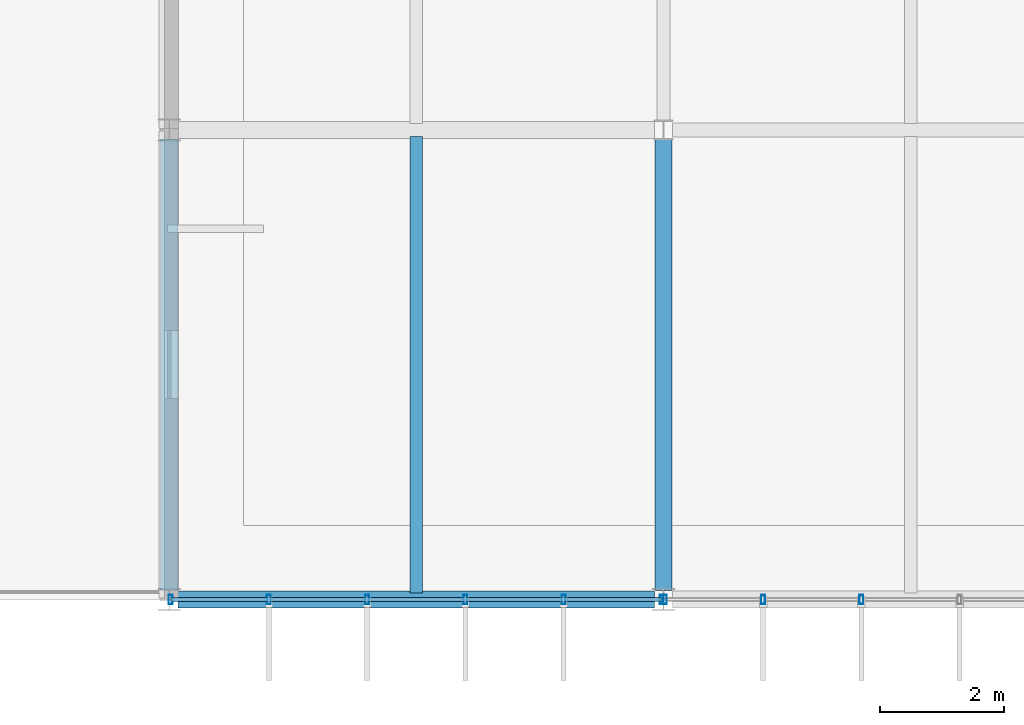
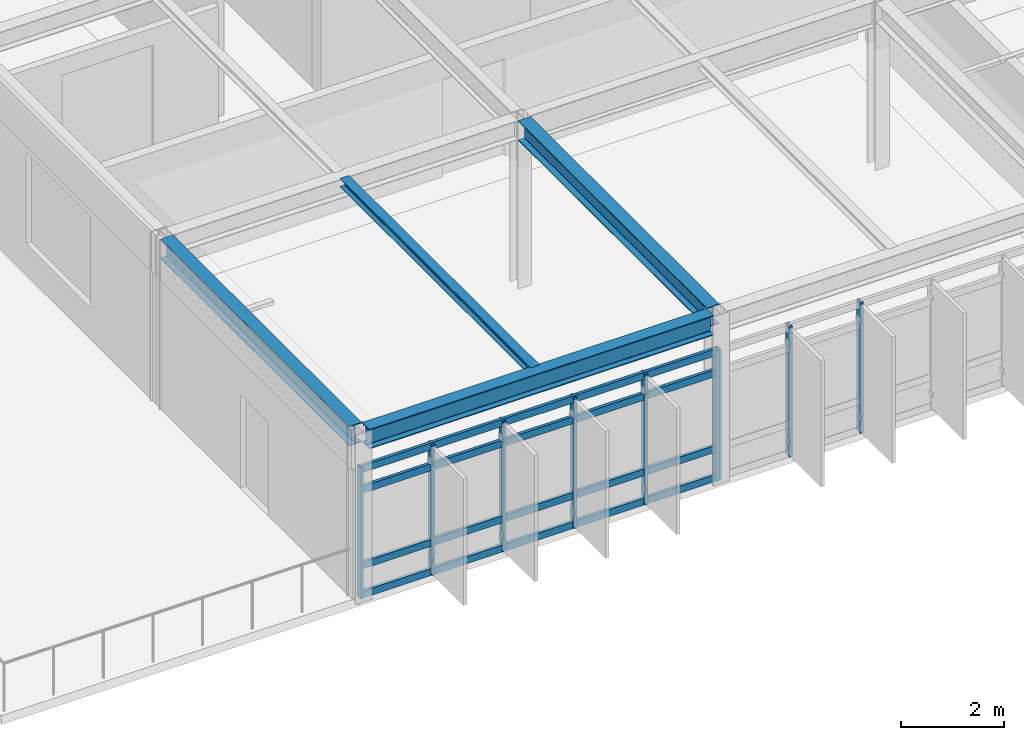
# One storey, part 9 of 45: 13 members, 4 beams, 2 elements without a shape of their own.
"""IFC4 building model written with IfcOpenShell, lengths in metres."""

from ifc_helpers import new_model, si_unit, direction, frame, origin, origin_2d, place, context, subcontext, project, spatial, hollow_rectangle, i_section, extrude, material, material_profile, profile_set, type_object, element, aggregate, save


model = new_model("IFC4")

# Units and contexts
model_context = context("Model", 3, precision=1e-05, world=origin(), true_north=direction((0.0, 1.0)))
body_context = subcontext(model_context, "Body", "Model", "MODEL_VIEW")
ifc_project = project(units=[si_unit("LENGTHUNIT", "METRE"), si_unit("AREAUNIT", "SQUARE_METRE"), si_unit("VOLUMEUNIT", "CUBIC_METRE"), si_unit("PLANEANGLEUNIT", "RADIAN"), si_unit("MASSUNIT", "GRAM", prefix="KILO")], contexts=[model_context])

# Site, building, storey
site_placement = place(None, origin())
site = spatial("IfcSite", under=ifc_project, at=site_placement, CompositionType="ELEMENT")
building_placement = place(site_placement, origin())
building = spatial("IfcBuilding", under=site, at=building_placement, Name="Zulena Civic Courthouse", CompositionType="ELEMENT")
storey_placement = place(building_placement, frame((0.0, 0.0, 29.39990234375)))
storey = spatial("IfcBuildingStorey", under=building, at=storey_placement, Name="L06", CompositionType="ELEMENT", Elevation=29.39990234375)

# Curtain wall, members
ifc_material_1 = material(Name="Double-silver low-E laminated solar-control glass", Category="glass")
curtain_wall_type = type_object("IfcCurtainWallType", Name="CW_7952x3090", PredefinedType="USERDEFINED", material=ifc_material_1)
curtain_wall_1_placement = place(storey_placement, origin())
curtain_wall_1 = element("IfcCurtainWall", 1, at=curtain_wall_1_placement, inside=storey, type_object=curtain_wall_type, Name="cw:V2:L06:3:5", ObjectType="UNITISED CURTAIN WALL", PredefinedType="USERDEFINED")
ifc_material_2 = material(Name="Bronze anodised thermally broken aluminium AA6063-T6", Category="aluminium")
ifc_material_profile_1 = material_profile(ifc_material_2, hollow_rectangle(XDim=0.06494140625, YDim=0.14990234375, WallThickness=0.00390625, at=origin_2d()), Name="CWM150X65X4")
ifc_profile_set_1 = profile_set([ifc_material_profile_1], Name="Bronze anodised thermally broken aluminium AA6063-T6")
member_type_1 = type_object("IfcMemberType", Name="CWMullion_150x65", PredefinedType="MULLION", material=ifc_profile_set_1)
member_1_placement = place(storey_placement, frame((23.204833984375, 0.0, 0.0), z_axis=(0.0, 0.0, 1.0), x_axis=(1.0, 0.0, 0.0)))
member_1 = element("IfcMember", 2, at=member_1_placement, type_object=member_type_1, Name="cw:V2:L06:3:5:mull:3", PredefinedType="MULLION", context=body_context, shape_type="SweptSolid", body=[
    extrude(hollow_rectangle(XDim=0.06494140625, YDim=0.14990234375, WallThickness=0.00390625, at=origin_2d()), origin(), (0.0, 0.0, 1.0), 3.090087890625),
])
member_2_placement = place(storey_placement, frame((21.614501953125, 0.0, 0.0), z_axis=(0.0, 0.0, 1.0), x_axis=(1.0, 0.0, 0.0)))
member_2 = element("IfcMember", 3, at=member_2_placement, type_object=member_type_1, Name="cw:V2:L06:3:5:mull:4", PredefinedType="MULLION", context=body_context, shape_type="SweptSolid", body=[
    extrude(hollow_rectangle(XDim=0.06494140625, YDim=0.14990234375, WallThickness=0.00390625, at=origin_2d()), origin(), (0.0, 0.0, 1.0), 3.090087890625),
])
member_3_placement = place(storey_placement, frame((20.02392578125, 0.0, 0.0), z_axis=(0.0, 0.0, 1.0), x_axis=(1.0, 0.0, 0.0)))
member_3 = element("IfcMember", 4, at=member_3_placement, type_object=member_type_1, Name="cw:V2:L06:3:5:mull:5", PredefinedType="MULLION", context=body_context, shape_type="SweptSolid", body=[
    extrude(hollow_rectangle(XDim=0.06494140625, YDim=0.14990234375, WallThickness=0.00390625, at=origin_2d()), origin(), (0.0, 0.0, 1.0), 3.090087890625),
])
aggregate(curtain_wall_1, [member_1, member_2, member_3])

curtain_wall_2_placement = place(storey_placement, origin())
curtain_wall_2 = element("IfcCurtainWall", 5, at=curtain_wall_2_placement, inside=storey, type_object=curtain_wall_type, Name="cw:V2:L06:3:6", ObjectType="UNITISED CURTAIN WALL", PredefinedType="USERDEFINED")
member_4_placement = place(storey_placement, frame((19.97607421875, 0.0, 0.0), z_axis=(0.0, 0.0, 1.0), x_axis=(1.0, 0.0, 0.0)))
member_4 = element("IfcMember", 6, at=member_4_placement, type_object=member_type_1, Name="cw:V2:L06:3:6:mull:0", PredefinedType="MULLION", context=body_context, shape_type="SweptSolid", body=[
    extrude(hollow_rectangle(XDim=0.06494140625, YDim=0.14990234375, WallThickness=0.00390625, at=origin_2d()), origin(), (0.0, 0.0, 1.0), 3.090087890625),
])
member_5_placement = place(storey_placement, frame((18.385498046875, 0.0, 0.0), z_axis=(0.0, 0.0, 1.0), x_axis=(1.0, 0.0, 0.0)))
member_5 = element("IfcMember", 7, at=member_5_placement, type_object=member_type_1, Name="cw:V2:L06:3:6:mull:1", PredefinedType="MULLION", context=body_context, shape_type="SweptSolid", body=[
    extrude(hollow_rectangle(XDim=0.06494140625, YDim=0.14990234375, WallThickness=0.00390625, at=origin_2d()), origin(), (0.0, 0.0, 1.0), 3.090087890625),
])
member_6_placement = place(storey_placement, frame((16.795166015625, 0.0, 0.0), z_axis=(0.0, 0.0, 1.0), x_axis=(1.0, 0.0, 0.0)))
member_6 = element("IfcMember", 8, at=member_6_placement, type_object=member_type_1, Name="cw:V2:L06:3:6:mull:2", PredefinedType="MULLION", context=body_context, shape_type="SweptSolid", body=[
    extrude(hollow_rectangle(XDim=0.06494140625, YDim=0.14990234375, WallThickness=0.00390625, at=origin_2d()), origin(), (0.0, 0.0, 1.0), 3.090087890625),
])
member_7_placement = place(storey_placement, frame((15.204833984375, 0.0, 0.0), z_axis=(0.0, 0.0, 1.0), x_axis=(1.0, 0.0, 0.0)))
member_7 = element("IfcMember", 9, at=member_7_placement, type_object=member_type_1, Name="cw:V2:L06:3:6:mull:3", PredefinedType="MULLION", context=body_context, shape_type="SweptSolid", body=[
    extrude(hollow_rectangle(XDim=0.06494140625, YDim=0.14990234375, WallThickness=0.00390625, at=origin_2d()), origin(), (0.0, 0.0, 1.0), 3.090087890625),
])
member_8_placement = place(storey_placement, frame((13.614501953125, 0.0, 0.0), z_axis=(0.0, 0.0, 1.0), x_axis=(1.0, 0.0, 0.0)))
member_8 = element("IfcMember", 10, at=member_8_placement, type_object=member_type_1, Name="cw:V2:L06:3:6:mull:4", PredefinedType="MULLION", context=body_context, shape_type="SweptSolid", body=[
    extrude(hollow_rectangle(XDim=0.06494140625, YDim=0.14990234375, WallThickness=0.00390625, at=origin_2d()), origin(), (0.0, 0.0, 1.0), 3.090087890625),
])
member_9_placement = place(storey_placement, frame((12.02392578125, 0.0, 0.0), z_axis=(0.0, 0.0, 1.0), x_axis=(1.0, 0.0, 0.0)))
member_9 = element("IfcMember", 11, at=member_9_placement, type_object=member_type_1, Name="cw:V2:L06:3:6:mull:5", PredefinedType="MULLION", context=body_context, shape_type="SweptSolid", body=[
    extrude(hollow_rectangle(XDim=0.06494140625, YDim=0.14990234375, WallThickness=0.00390625, at=origin_2d()), origin(), (0.0, 0.0, 1.0), 3.090087890625),
])
ifc_material_profile_2 = material_profile(ifc_material_2, hollow_rectangle(XDim=0.070068359375, YDim=0.1650390625, WallThickness=0.00390625, at=origin_2d()), Name="CWT165X70X4")
ifc_profile_set_2 = profile_set([ifc_material_profile_2], Name="Bronze anodised thermally broken aluminium AA6063-T6")
member_type_2 = type_object("IfcMemberType", Name="CWTransom_165x70", PredefinedType="USERDEFINED", material=ifc_profile_set_2)
member_10_placement = place(storey_placement, frame((19.97607421875, 0.0, 0.06005859375), z_axis=(-1.0, 0.0, 0.0), x_axis=(0.0, -1.0, 0.0)))
member_10 = element("IfcMember", 12, at=member_10_placement, type_object=member_type_2, Name="cw:V2:L06:3:6:tran:0", ObjectType="TRANSOM", PredefinedType="USERDEFINED", context=body_context, shape_type="SweptSolid", body=[
    extrude(hollow_rectangle(XDim=0.070068359375, YDim=0.1650390625, WallThickness=0.00390625, at=origin_2d()), origin(), (0.0, 0.0, 1.0), 7.9521484375),
])
member_11_placement = place(storey_placement, frame((19.97607421875, 0.0, 0.75), z_axis=(-1.0, 0.0, 0.0), x_axis=(0.0, -1.0, 0.0)))
member_11 = element("IfcMember", 13, at=member_11_placement, type_object=member_type_2, Name="cw:V2:L06:3:6:tran:1", ObjectType="TRANSOM", PredefinedType="USERDEFINED", context=body_context, shape_type="SweptSolid", body=[
    extrude(hollow_rectangle(XDim=0.070068359375, YDim=0.1650390625, WallThickness=0.00390625, at=origin_2d()), origin(), (0.0, 0.0, 1.0), 7.9521484375),
])
member_12_placement = place(storey_placement, frame((19.97607421875, 0.0, 2.5400390625), z_axis=(-1.0, 0.0, 0.0), x_axis=(0.0, -1.0, 0.0)))
member_12 = element("IfcMember", 14, at=member_12_placement, type_object=member_type_2, Name="cw:V2:L06:3:6:tran:2", ObjectType="TRANSOM", PredefinedType="USERDEFINED", context=body_context, shape_type="SweptSolid", body=[
    extrude(hollow_rectangle(XDim=0.070068359375, YDim=0.1650390625, WallThickness=0.00390625, at=origin_2d()), origin(), (0.0, 0.0, 1.0), 7.9521484375),
])
member_13_placement = place(storey_placement, frame((19.97607421875, 0.0, 3.030029296875), z_axis=(-1.0, 0.0, 0.0), x_axis=(0.0, -1.0, 0.0)))
member_13 = element("IfcMember", 15, at=member_13_placement, type_object=member_type_2, Name="cw:V2:L06:3:6:tran:3", ObjectType="TRANSOM", PredefinedType="USERDEFINED", context=body_context, shape_type="SweptSolid", body=[
    extrude(hollow_rectangle(XDim=0.070068359375, YDim=0.1650390625, WallThickness=0.00390625, at=origin_2d()), origin(), (0.0, 0.0, 1.0), 7.9521484375),
])
aggregate(curtain_wall_2, [member_4, member_5, member_6, member_7, member_8, member_9, member_10, member_11, member_12, member_13])

# Beams
ifc_material_3 = material(Name="Steel ASTM A992 Grade 50", Category="steel")
ifc_material_profile_3 = material_profile(ifc_material_3, i_section(OverallWidth=0.202880859375, OverallDepth=0.202880859375, WebThickness=0.007080078125, FlangeThickness=0.010986328125, FilletRadius=0.007568359375, at=origin_2d()), Name="W8X31")
ifc_profile_set_3 = profile_set([ifc_material_profile_3], Name="Steel ASTM A992 Grade 50")
beam_type_1 = type_object("IfcBeamType", Name="Joist_W8X31", PredefinedType="JOIST", material=ifc_profile_set_3)
beam_1_placement = place(storey_placement, frame((16.0, 0.10498046875, 3.898681640625), z_axis=(0.0, 1.0, 0.0), x_axis=(-1.0, 0.0, 0.0)))
element("IfcBeam", 16, at=beam_1_placement, inside=storey, type_object=beam_type_1, Name="joist:V2:L06:16.00:0.0_7.6", PredefinedType="JOIST", context=body_context, shape_type="SweptSolid", body=[
    extrude(i_section(OverallWidth=0.202880859375, OverallDepth=0.202880859375, WebThickness=0.007080078125, FlangeThickness=0.010986328125, FilletRadius=0.007568359375, at=origin_2d()), origin(), (0.0, 0.0, 1.0), 7.39013671875),
])
ifc_material_profile_4 = material_profile(ifc_material_3, i_section(OverallWidth=0.280029296875, OverallDepth=0.462890625, WebThickness=0.0107421875, FlangeThickness=0.017333984375, FilletRadius=0.01025390625, at=origin_2d()), Name="W18X76")
ifc_profile_set_4 = profile_set([ifc_material_profile_4], Name="Steel ASTM A992 Grade 50")
beam_type_2 = type_object("IfcBeamType", Name="Spandrel_W18X76", PredefinedType="SPANDREL", material=ifc_profile_set_4)
beam_2_placement = place(storey_placement, frame((12.14501953125, 0.0, 3.7685546875), z_axis=(1.0, 0.0, 0.0), x_axis=(0.0, 1.0, 0.0)))
element("IfcBeam", 17, at=beam_2_placement, inside=storey, type_object=beam_type_2, Name="beam:X:V2:L06:0.0:12.0_20.0", PredefinedType="SPANDREL", context=body_context, shape_type="SweptSolid", body=[
    extrude(i_section(OverallWidth=0.280029296875, OverallDepth=0.462890625, WebThickness=0.0107421875, FlangeThickness=0.017333984375, FilletRadius=0.01025390625, at=origin_2d()), origin(), (0.0, 0.0, 1.0), 7.7099609375),
])
for number, where, z_axis, x_axis, name in (
    (18, (12.0, 0.14501953125, 3.7685546875), (0.0, 1.0, 0.0), (-1.0, 0.0, 0.0), "beam:Y:V2:L06:12.0:0.0_7.6"),
    (19, (20.0, 0.14501953125, 3.7685546875), (0.0, 1.0, 0.0), (-1.0, 0.0, 0.0), "beam:Y:V2:L06:20.0:0.0_7.6"),
):
    element("IfcBeam", number, at=place(storey_placement, frame(where, z_axis=z_axis, x_axis=x_axis)), inside=storey, type_object=beam_type_2, Name=name, PredefinedType="SPANDREL", context=body_context, shape_type="SweptSolid", body=[
        extrude(i_section(OverallWidth=0.280029296875, OverallDepth=0.462890625, WebThickness=0.0107421875, FlangeThickness=0.017333984375, FilletRadius=0.01025390625, at=origin_2d()), origin(), (0.0, 0.0, 1.0), 7.31005859375),
    ])

save(model, "model.ifc")
